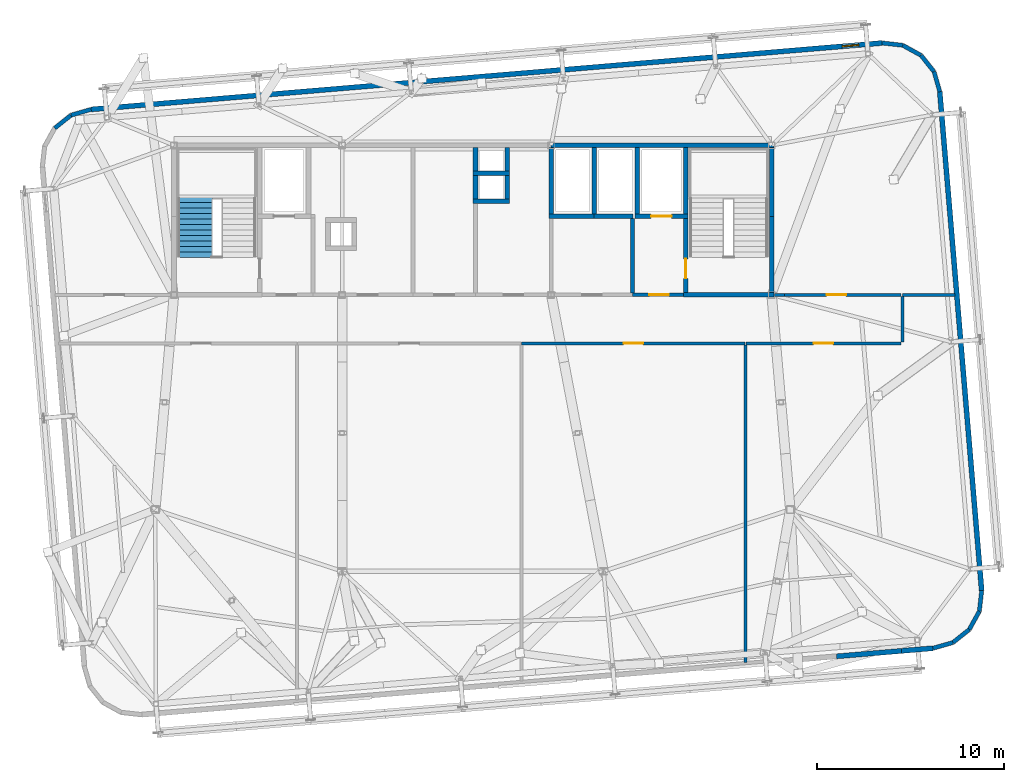
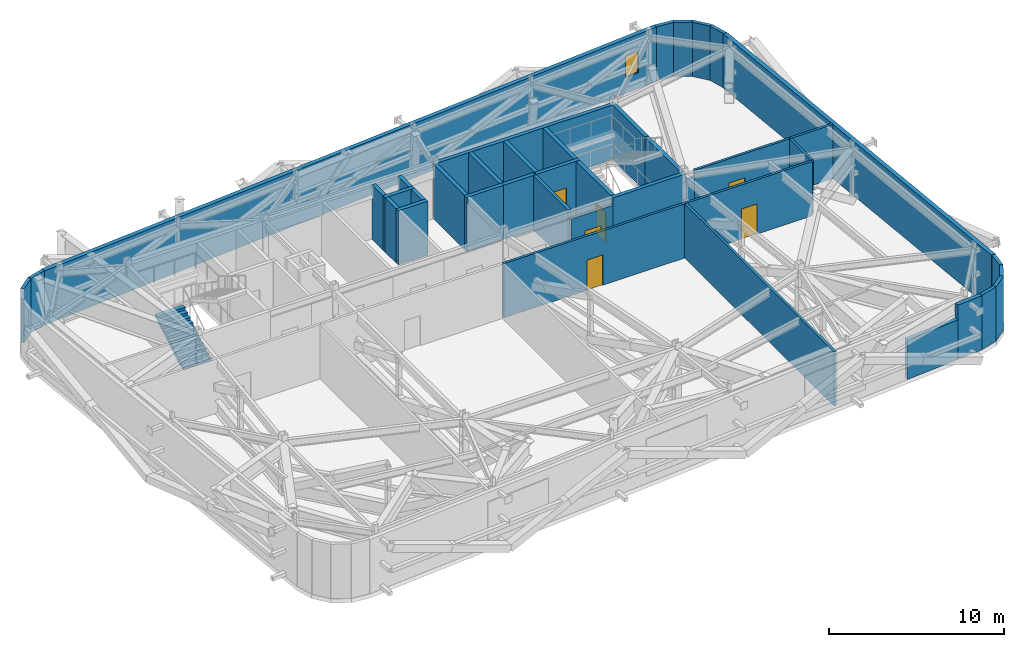
# One storey, part 24 of 26: 41 walls, 6 doors, 1 stair flight, 1 window, 7 openings, 1 element without a shape of its own.
"""IFC4 building model written with IfcOpenShell, lengths in metres."""

from ifc_helpers import new_model, si_unit, direction, frame, frame_2d, origin, place, context, subcontext, project, spatial, polyline, rectangle, outline, extrude, source, transform, mapped, material, layer, layer_set, type_object, element, fill, aggregate, save


model = new_model("IFC4")

# Units and contexts
model_context = context("Model", 3, precision=1e-05, world=origin(), true_north=direction((0.0, 1.0)))
body_context = subcontext(model_context, "Body", "Model", "MODEL_VIEW")
ifc_project = project(units=[si_unit("LENGTHUNIT", "METRE"), si_unit("AREAUNIT", "SQUARE_METRE"), si_unit("VOLUMEUNIT", "CUBIC_METRE"), si_unit("PLANEANGLEUNIT", "RADIAN"), si_unit("MASSUNIT", "GRAM", prefix="KILO")], contexts=[model_context])

# Site, building, storey
site_placement = place(None, origin())
site = spatial("IfcSite", under=ifc_project, at=site_placement, CompositionType="ELEMENT")
building_placement = place(site_placement, origin())
building = spatial("IfcBuilding", under=site, at=building_placement, Name="Taldren Reach Tower", CompositionType="ELEMENT")
storey_placement = place(building_placement, frame((0.0, 0.0, 207.199951171875)))
storey = spatial("IfcBuildingStorey", under=building, at=storey_placement, Name="L63", CompositionType="ELEMENT", Elevation=207.199951171875)

# Walls
ifc_material_1 = material(Name="Pale Champagne Anodised Aluminium Cladding", Category="aluminium")
ifc_layer_1 = layer(ifc_material_1, 0.04, Name="Pale Champagne Anodised Aluminium Cladding", Category="aluminium")
ifc_material_2 = material(Name="Mineral Wool Acoustic Insulation", Category="insulation")
ifc_layer_2 = layer(ifc_material_2, 0.06, Name="Mineral Wool Acoustic Insulation", Category="insulation")
ifc_material_3 = material(Name="Steel Gr 350 (C350L0)", Category="steel")
ifc_layer_3 = layer(ifc_material_3, 0.12, Name="Steel Gr 350 (C350L0)", Category="steel")
ifc_layer_set_1 = layer_set([ifc_layer_1, ifc_layer_2, ifc_layer_3], Name="Pale Champagne Aluminium Cladding and Steel Gr 350 Stud Framing")
wall_type_1 = type_object("IfcWallType", Name="EW-CRN-220", PredefinedType="SOLIDWALL", material=ifc_layer_set_1)
shared_shape_1 = source(origin(), body_context, "Body", "SweptSolid", [
    extrude(rectangle(XDim=1.115966796875, YDim=0.219970703125, at=frame_2d((0.55810546875, 0.0))), origin(), (0.0, 0.0, 1.0), 3.780029296875),
])
for number, where, z_axis, x_axis, name in (
    (1, (59.635986328125, 5.0751953125, 0.0), (0.0, 0.0, 1.0), (0.961010464297, 0.276512002475, 0.0), "Rounded-corner pale-metal facade wall L63-SE1"),
    (2, (60.70849609375, 5.3837890625, 0.0), (0.0, 0.0, 1.0), (0.782147847222, 0.623092886403, 0.0), "Rounded-corner pale-metal facade wall L63-SE2"),
    (3, (61.581298828125, 6.0791015625, 0.0), (0.0, 0.0, 1.0), (0.483933071672, 0.875105012065, 0.0), "Rounded-corner pale-metal facade wall L63-SE3"),
    (4, (62.121337890625, 7.0556640625, 0.0), (0.0, 0.0, 1.0), (0.112448259968, 0.993657581277, 0.0), "Rounded-corner pale-metal facade wall L63-SE4"),
    (5, (60.004150390625, 34.870361328125, 0.0), (0.0, 0.0, 1.0), (-0.276512002475, 0.961010464297, 0.0), "Rounded-corner pale-metal facade wall L63-NE1"),
    (6, (59.695556640625, 35.94287109375, 0.0), (0.0, 0.0, 1.0), (-0.623092886403, 0.782147847222, 0.0), "Rounded-corner pale-metal facade wall L63-NE2"),
    (7, (59.000244140625, 36.815673828125, 0.0), (0.0, 0.0, 1.0), (-0.875105012065, 0.483933071672, 0.0), "Rounded-corner pale-metal facade wall L63-NE3"),
    (8, (58.023681640625, 37.355712890625, 0.0), (0.0, 0.0, 1.0), (-0.993657581277, 0.112448259968, 0.0), "Rounded-corner pale-metal facade wall L63-NE4"),
    (9, (14.56396484375, 33.9248046875, 0.0), (0.0, 0.0, 1.0), (-0.961010464297, -0.276512002475, 0.0), "Rounded-corner pale-metal facade wall L63-NW1"),
):
    element("IfcWall", number, at=place(storey_placement, frame(where, z_axis=z_axis, x_axis=x_axis)), inside=storey, type_object=wall_type_1, Name=name, PredefinedType="SOLIDWALL", context=body_context, shape_type="MappedRepresentation", body=[
        mapped(shared_shape_1, transform((0.0, 0.0, 0.0), scale=1.0)),
    ])
shared_shape_2 = source(origin(), body_context, "Body", "SweptSolid", [
    extrude(rectangle(XDim=1.11572265625, YDim=0.219970703125, at=frame_2d((0.557861328125, 0.0))), origin(), (0.0, 0.0, 1.0), 3.780029296875),
])
wall_1_placement = place(storey_placement, frame((13.491455078125, 33.6162109375, 0.0), z_axis=(0.0, 0.0, 1.0), x_axis=(-0.782062884215, -0.623199522732, 0.0)))
element("IfcWall", 10, at=wall_1_placement, inside=storey, type_object=wall_type_1, Name="Rounded-corner pale-metal facade wall L63-NW2", PredefinedType="SOLIDWALL", context=body_context, shape_type="MappedRepresentation", body=[
    mapped(shared_shape_2, transform((0.0, 0.0, 0.0), scale=1.0)),
])
ifc_material_4 = material(Name="Perforated Anodised Aluminium Acoustic Liner", Category="aluminium")
ifc_layer_4 = layer(ifc_material_4, 0.04, Name="Perforated Anodised Aluminium Acoustic Liner", Category="aluminium")
ifc_layer_5 = layer(ifc_material_2, 0.08, Name="Mineral Wool Acoustic Insulation", Category="insulation")
ifc_layer_6 = layer(ifc_material_3, 0.15, Name="Steel Gr 350 (C350L0)", Category="steel")
ifc_layer_set_2 = layer_set([ifc_layer_4, ifc_layer_5, ifc_layer_6], Name="Perforated Anodised Aluminium Liner and Steel Gr 350 Stud Framing")
wall_type_2 = type_object("IfcWallType", Name="EW-PLT-270", PredefinedType="SOLIDWALL", material=ifc_layer_set_2)
shared_shape_3 = source(origin(), body_context, "Body", "SweptSolid", [
    extrude(rectangle(XDim=3.494140625, YDim=0.27001953125, at=frame_2d((1.7470703125, 0.0))), origin(), (0.0, 0.0, 1.0), 2.756103515625),
])
wall_2_placement = place(storey_placement, frame((54.476806640625, 4.641845703125, 0.0), z_axis=(0.0, 0.0, 1.0), x_axis=(0.996490607693, 0.083704652084, 0.0)))
element("IfcWall", 11, at=wall_2_placement, inside=storey, type_object=wall_type_2, Name="Plant floor perimeter enclosure wall L63-S part 2", PredefinedType="SOLIDWALL", context=body_context, shape_type="MappedRepresentation", body=[
    mapped(shared_shape_3, transform((0.0, 0.0, 0.0), scale=1.0)),
])
shared_shape_4 = source(origin(), body_context, "Body", "SweptSolid", [
    extrude(rectangle(XDim=1.68310546875, YDim=0.27001953125, at=frame_2d((0.841552734375, 0.0))), origin(), (0.0, 0.0, 1.0), 3.780029296875),
])
wall_3_placement = place(storey_placement, frame((57.958740234375, 4.934326171875, 0.0), z_axis=(0.0, 0.0, 1.0), x_axis=(0.996491528907, 0.083693684451, 0.0)))
element("IfcWall", 12, at=wall_3_placement, inside=storey, type_object=wall_type_2, Name="Plant floor perimeter enclosure wall L63-S part 3", PredefinedType="SOLIDWALL", context=body_context, shape_type="MappedRepresentation", body=[
    mapped(shared_shape_4, transform((0.0, 0.0, 0.0), scale=1.0)),
])

# Wall, opening, window
shared_shape_5 = source(origin(), body_context, "Body", "SweptSolid", [
    extrude(rectangle(XDim=42.5, YDim=0.27001953125, at=frame_2d((21.25, 0.0))), origin(), (0.0, 0.0, 1.0), 3.780029296875),
])
wall_4_placement = place(storey_placement, frame((56.914794921875, 37.481201171875, 0.0), z_axis=(0.0, 0.0, 1.0), x_axis=(-0.996492667128, -0.083680131217, 0.0)))
wall_4 = element("IfcWall", 13, at=wall_4_placement, inside=storey, type_object=wall_type_2, Name="Plant floor perimeter enclosure wall L63-N", PredefinedType="SOLIDWALL", context=body_context, shape_type="MappedRepresentation", body=[
    mapped(shared_shape_5, transform((0.0, 0.0, 0.0), scale=1.0)),
])
shared_shape_6 = source(origin(), body_context, "Body", "SweptSolid", [
    extrude(rectangle(XDim=0.89990234375, YDim=1.5, at=frame_2d((0.449951171875, 0.75))), frame((0.0, 0.14501953125, 0.0), z_axis=(0.0, -1.0, 0.0), x_axis=(1.0, 0.0, 0.0)), (0.0, 0.0, 1.0), 0.2900390625),
])
opening_1_placement = place(wall_4_placement, frame((1.25, 0.0, 1.10009765625)))
opening_1 = element("IfcOpeningElement", 14, at=opening_1_placement, cuts=wall_4, Name="Opening W-0915", PredefinedType="OPENING", context=body_context, shape_type="MappedRepresentation", body=[
    mapped(shared_shape_6, transform((0.0, 0.0, 0.0), scale=1.0)),
])
ifc_material_5 = material(Name="Thermally Broken Aluminium and Low-E IGU", Category="aluminium")
window_type = type_object("IfcWindowType", Name="WN-REF-0900", PartitioningType="SINGLE_PANEL", PredefinedType="WINDOW", material=ifc_material_5)
shared_shape_7 = source(origin(), body_context, "Body", "SweptSolid", [
    extrude(rectangle(XDim=0.89990234375, YDim=1.5, at=frame_2d((0.449951171875, 0.75))), frame((0.0, 0.030029296875, 0.0), z_axis=(0.0, -1.0, 0.0), x_axis=(1.0, 0.0, 0.0)), (0.0, 0.0, 1.0), 0.06005859375),
])
window_placement = place(opening_1_placement, origin())
window = element("IfcWindow", 15, at=window_placement, inside=storey, type_object=window_type, Name="Refuge area daylight window L63-1", OverallHeight=1.5, OverallWidth=0.89990234375, PartitioningType="SINGLE_PANEL", PredefinedType="WINDOW", context=body_context, shape_type="MappedRepresentation", body=[
    mapped(shared_shape_7, transform((0.0, 0.0, 0.0), scale=1.0)),
])
fill(opening_1, window)

# Walls
shared_shape_8 = source(origin(), body_context, "Body", "SweptSolid", [
    extrude(rectangle(XDim=26.7998046875, YDim=0.27001953125, at=frame_2d((13.39990234375, 0.0))), origin(), (0.0, 0.0, 1.0), 3.780029296875),
])
wall_5_placement = place(storey_placement, frame((62.246826171875, 8.16455078125, 0.0), z_axis=(0.0, 0.0, 1.0), x_axis=(-0.083682519839, 0.996492466541, 0.0)))
element("IfcWall", 16, at=wall_5_placement, inside=storey, type_object=wall_type_2, Name="Plant floor perimeter enclosure wall L63-E", PredefinedType="SOLIDWALL", context=body_context, shape_type="MappedRepresentation", body=[
    mapped(shared_shape_8, transform((0.0, 0.0, 0.0), scale=1.0)),
])
ifc_material_6 = material(Name="Fire-Rated Acoustic Plasterboard Stud Wall", Category="gypsum")
ifc_layer_7 = layer(ifc_material_6, 0.159912109375)
ifc_layer_set_3 = layer_set([ifc_layer_7], Name="Fire-Rated Acoustic Plasterboard Stud Wall")
wall_type_3 = type_object("IfcWallType", Name="IW-FIRE-160", PredefinedType="PARTITIONING", material=ifc_layer_set_3)
shared_shape_9 = source(origin(), body_context, "Body", "SweptSolid", [
    extrude(rectangle(XDim=2.43994140625, YDim=0.159912109375, at=frame_2d((1.219970703125, 0.0))), origin(), (0.0, 0.0, 1.0), 3.780029296875),
])
wall_6_placement = place(storey_placement, frame((58.0, 23.919921875, 0.0), z_axis=(0.0, 0.0, 1.0), x_axis=(0.0, -1.0, 0.0)))
element("IfcWall", 17, at=wall_6_placement, inside=storey, type_object=wall_type_3, Name="Interior Partition Wall W-INT-L63-042", PredefinedType="PARTITIONING", context=body_context, shape_type="MappedRepresentation", body=[
    mapped(shared_shape_9, transform((0.0, 0.0, 0.0), scale=1.0)),
])
ifc_material_7 = material(Name="Concrete S65 (65 MPa)", Category="concrete")
ifc_layer_8 = layer(ifc_material_7, 0.25)
ifc_layer_set_4 = layer_set([ifc_layer_8], Name="Concrete S65 (65 MPa)")
wall_type_4 = type_object("IfcWallType", Name="IW-CORE-250", PredefinedType="SHEAR", material=ifc_layer_set_4)
shared_shape_10 = source(origin(), body_context, "Body", "SweptSolid", [
    extrude(rectangle(XDim=11.925048828125, YDim=0.25, at=frame_2d((5.96240234375, 0.0))), origin(), (0.0, 0.0, 1.0), 3.780029296875),
])
wall_7_placement = place(storey_placement, frame((39.199951171875, 32.0, 0.0), z_axis=(0.0, 0.0, 1.0), x_axis=(1.0, 0.0, 0.0)))
element("IfcWall", 18, at=wall_7_placement, inside=storey, type_object=wall_type_4, Name="Rear Core Shear Wall W-CORE-L63-NORTH3", PredefinedType="SHEAR", context=body_context, shape_type="MappedRepresentation", body=[
    mapped(shared_shape_10, transform((0.0, 0.0, 0.0), scale=1.0)),
])
shared_shape_11 = source(origin(), body_context, "Body", "SweptSolid", [
    extrude(rectangle(XDim=4.074951171875, YDim=0.25, at=frame_2d((2.03759765625, 0.0))), origin(), (0.0, 0.0, 1.0), 3.780029296875),
])
wall_8_placement = place(storey_placement, frame((51.0, 24.125, 0.0), z_axis=(0.0, 0.0, 1.0), x_axis=(0.0, 1.0, 0.0)))
element("IfcWall", 19, at=wall_8_placement, inside=storey, type_object=wall_type_4, Name="Rear Core Shear Wall W-CORE-L63-EAST1", PredefinedType="SHEAR", context=body_context, shape_type="MappedRepresentation", body=[
    mapped(shared_shape_11, transform((0.0, 0.0, 0.0), scale=1.0)),
])
shared_shape_12 = source(origin(), body_context, "Body", "SweptSolid", [
    extrude(rectangle(XDim=3.675048828125, YDim=0.25, at=frame_2d((1.83740234375, 0.0))), origin(), (0.0, 0.0, 1.0), 3.780029296875),
])
wall_9_placement = place(storey_placement, frame((51.0, 28.199951171875, 0.0), z_axis=(0.0, 0.0, 1.0), x_axis=(0.0, 1.0, 0.0)))
element("IfcWall", 20, at=wall_9_placement, inside=storey, type_object=wall_type_4, Name="Rear Core Shear Wall W-CORE-L63-EAST2", PredefinedType="SHEAR", context=body_context, shape_type="MappedRepresentation", body=[
    mapped(shared_shape_12, transform((0.0, 0.0, 0.0), scale=1.0)),
])
shared_shape_13 = source(origin(), body_context, "Body", "SweptSolid", [
    extrude(rectangle(XDim=3.550048828125, YDim=0.25, at=frame_2d((1.77490234375, 0.0))), origin(), (0.0, 0.0, 1.0), 3.780029296875),
])
for number, where, z_axis, x_axis, name in (
    (21, (46.39990234375, 31.875, 0.0), (0.0, 0.0, 1.0), (0.0, -1.0, 0.0), "Rear Core Shear Wall W-INT-L63-008"),
    (22, (43.800048828125, 31.875, 0.0), (0.0, 0.0, 1.0), (0.0, -1.0, 0.0), "Rear Core Shear Wall W-INT-L63-012"),
    (23, (41.5, 28.324951171875, 0.0), (0.0, 0.0, 1.0), (0.0, 1.0, 0.0), "Rear Core Shear Wall W-INT-L63-029"),
    (24, (39.199951171875, 31.875, 0.0), (0.0, 0.0, 1.0), (0.0, -1.0, 0.0), "Rear Core Shear Wall W-INT-L63-030"),
):
    element("IfcWall", number, at=place(storey_placement, frame(where, z_axis=z_axis, x_axis=x_axis)), inside=storey, type_object=wall_type_4, Name=name, PredefinedType="SHEAR", context=body_context, shape_type="MappedRepresentation", body=[
        mapped(shared_shape_13, transform((0.0, 0.0, 0.0), scale=1.0)),
    ])

# Wall, opening, door
shared_shape_14 = source(origin(), body_context, "Body", "SweptSolid", [
    extrude(rectangle(XDim=3.949951171875, YDim=0.25, at=frame_2d((1.97509765625, 0.0))), origin(), (0.0, 0.0, 1.0), 3.780029296875),
])
wall_10_placement = place(storey_placement, frame((46.39990234375, 28.074951171875, 0.0), z_axis=(0.0, 0.0, 1.0), x_axis=(0.0, -1.0, 0.0)))
wall_10 = element("IfcWall", 25, at=wall_10_placement, inside=storey, type_object=wall_type_4, Name="Rear Core Shear Wall W-INT-L63-009", PredefinedType="SHEAR", context=body_context, shape_type="MappedRepresentation", body=[
    mapped(shared_shape_14, transform((0.0, 0.0, 0.0), scale=1.0)),
])
shared_shape_15 = source(origin(), body_context, "Body", "SweptSolid", [
    extrude(rectangle(XDim=1.050048828125, YDim=2.10009765625, at=frame_2d((0.52490234375, 1.050048828125))), frame((0.0, 0.135009765625, 0.0), z_axis=(0.0, -1.0, 0.0), x_axis=(1.0, 0.0, 0.0)), (0.0, 0.0, 1.0), 0.27001953125),
])
opening_2_placement = place(wall_10_placement, frame((2.14990234375, 0.0, 0.0)))
opening_2 = element("IfcOpeningElement", 26, at=opening_2_placement, cuts=wall_10, Name="Opening DF-105", PredefinedType="OPENING", context=body_context, shape_type="MappedRepresentation", body=[
    mapped(shared_shape_15, transform((0.0, 0.0, 0.0), scale=1.0)),
])
ifc_material_8 = material(Name="Fire-Rated Care and Stair Exit Door")
door_type_1 = type_object("IfcDoorType", Name="ID-FIRE-105", OperationType="NOTDEFINED", PredefinedType="DOOR", material=ifc_material_8)
shared_shape_16 = source(origin(), body_context, "Body", "SweptSolid", [
    extrude(rectangle(XDim=1.050048828125, YDim=2.10009765625, at=frame_2d((0.52490234375, 1.050048828125))), frame((0.0, 0.02490234375, 0.0), z_axis=(0.0, -1.0, 0.0), x_axis=(1.0, 0.0, 0.0)), (0.0, 0.0, 1.0), 0.050048828125),
])
door_1_placement = place(opening_2_placement, origin())
door_1 = element("IfcDoor", 27, at=door_1_placement, inside=storey, type_object=door_type_1, Name="Fire Exit Stair Door DR-L63-003", OperationType="SINGLE_SWING_RIGHT", OverallHeight=2.10009765625, OverallWidth=1.050048828125, PredefinedType="DOOR", context=body_context, shape_type="MappedRepresentation", body=[
    mapped(shared_shape_16, transform((0.0, 0.0, 0.0), scale=1.0)),
])
fill(opening_2, door_1)

# Wall
shared_shape_17 = source(origin(), body_context, "Body", "SweptSolid", [
    extrude(rectangle(XDim=4.85009765625, YDim=0.25, at=frame_2d((2.425048828125, 0.0))), origin(), (0.0, 0.0, 1.0), 3.780029296875),
])
wall_11_placement = place(storey_placement, frame((46.27490234375, 24.0, 0.0), z_axis=(0.0, 0.0, 1.0), x_axis=(1.0, 0.0, 0.0)))
element("IfcWall", 28, at=wall_11_placement, inside=storey, type_object=wall_type_4, Name="Rear Core Shear Wall W-INT-L63-010", PredefinedType="SHEAR", context=body_context, shape_type="MappedRepresentation", body=[
    mapped(shared_shape_17, transform((0.0, 0.0, 0.0), scale=1.0)),
])

# Wall, opening, door
shared_shape_18 = source(origin(), body_context, "Body", "SweptSolid", [
    extrude(rectangle(XDim=2.849853515625, YDim=0.25, at=frame_2d((1.4248046875, 0.0))), origin(), (0.0, 0.0, 1.0), 3.780029296875),
])
wall_12_placement = place(storey_placement, frame((43.675048828125, 28.199951171875, 0.0), z_axis=(0.0, 0.0, 1.0), x_axis=(1.0, 0.0, 0.0)))
wall_12 = element("IfcWall", 29, at=wall_12_placement, inside=storey, type_object=wall_type_4, Name="Rear Core Shear Wall W-INT-L63-011", PredefinedType="SHEAR", context=body_context, shape_type="MappedRepresentation", body=[
    mapped(shared_shape_18, transform((0.0, 0.0, 0.0), scale=1.0)),
])
shared_shape_19 = source(origin(), body_context, "Body", "SweptSolid", [
    extrude(rectangle(XDim=1.10009765625, YDim=2.14990234375, at=frame_2d((0.550048828125, 1.074951171875))), frame((0.0, 0.135009765625, 0.0), z_axis=(0.0, -1.0, 0.0), x_axis=(1.0, 0.0, 0.0)), (0.0, 0.0, 1.0), 0.27001953125),
])
opening_3_placement = place(wall_12_placement, frame((0.875, 0.0, 0.0)))
opening_3 = element("IfcOpeningElement", 30, at=opening_3_placement, cuts=wall_12, Name="Opening LD-FL2", PredefinedType="OPENING", context=body_context, shape_type="MappedRepresentation", body=[
    mapped(shared_shape_19, transform((0.0, 0.0, 0.0), scale=1.0)),
])
ifc_material_9 = material(Name="Stainless Steel Gr 316 Emergency Lift Landing Door", Category="steel")
door_type_2 = type_object("IfcDoorType", Name="LD-EMG-110", OperationType="SLIDING_TO_LEFT", PredefinedType="DOOR", material=ifc_material_9)
shared_shape_20 = source(origin(), body_context, "Body", "SweptSolid", [
    extrude(rectangle(XDim=1.10009765625, YDim=2.14990234375, at=frame_2d((0.550048828125, 1.074951171875))), frame((0.0, 0.02490234375, 0.0), z_axis=(0.0, -1.0, 0.0), x_axis=(1.0, 0.0, 0.0)), (0.0, 0.0, 1.0), 0.050048828125),
])
door_2_placement = place(opening_3_placement, origin())
door_2 = element("IfcDoor", 31, at=door_2_placement, inside=storey, type_object=door_type_2, Name="Lift Landing Door LD-FL2-L63", OperationType="SLIDING_TO_LEFT", OverallHeight=2.14990234375, OverallWidth=1.10009765625, PredefinedType="DOOR", context=body_context, shape_type="MappedRepresentation", body=[
    mapped(shared_shape_20, transform((0.0, 0.0, 0.0), scale=1.0)),
])
fill(opening_3, door_2)

# Wall
ifc_material_10 = material(Name="Concrete S50 (50 MPa)", Category="concrete")
ifc_layer_9 = layer(ifc_material_10, 0.199951171875)
ifc_layer_set_5 = layer_set([ifc_layer_9], Name="Concrete S50 (50 MPa)")
wall_type_5 = type_object("IfcWallType", Name="IW-CORE-200", PredefinedType="SOLIDWALL", material=ifc_layer_set_5)
shared_shape_21 = source(origin(), body_context, "Body", "SweptSolid", [
    extrude(rectangle(XDim=3.974853515625, YDim=0.199951171875, at=frame_2d((1.9873046875, 0.0))), origin(), (0.0, 0.0, 1.0), 3.780029296875),
])
wall_13_placement = place(storey_placement, frame((43.550048828125, 28.074951171875, 0.0), z_axis=(0.0, 0.0, 1.0), x_axis=(0.0, -1.0, 0.0)))
element("IfcWall", 32, at=wall_13_placement, inside=storey, type_object=wall_type_5, Name="Rear Core Shear Wall W-INT-L63-013", PredefinedType="SOLIDWALL", context=body_context, shape_type="MappedRepresentation", body=[
    mapped(shared_shape_21, transform((0.0, 0.0, 0.0), scale=1.0)),
])

# Wall, opening, door
shared_shape_22 = source(origin(), body_context, "Body", "SweptSolid", [
    extrude(rectangle(XDim=2.724853515625, YDim=0.199951171875, at=frame_2d((1.3623046875, 0.0))), origin(), (0.0, 0.0, 1.0), 3.2470703125),
])
wall_14_placement = place(storey_placement, frame((43.550048828125, 24.0, 0.0), z_axis=(0.0, 0.0, 1.0), x_axis=(1.0, 0.0, 0.0)))
wall_14 = element("IfcWall", 33, at=wall_14_placement, inside=storey, type_object=wall_type_5, Name="Rear Core Shear Wall W-INT-L63-014", PredefinedType="SOLIDWALL", context=body_context, shape_type="MappedRepresentation", body=[
    mapped(shared_shape_22, transform((0.0, 0.0, 0.0), scale=1.0)),
])
shared_shape_23 = source(origin(), body_context, "Body", "SweptSolid", [
    extrude(rectangle(XDim=1.050048828125, YDim=2.10009765625, at=frame_2d((0.52490234375, 1.050048828125))), frame((0.0, 0.10986328125, 0.0), z_axis=(0.0, -1.0, 0.0), x_axis=(1.0, 0.0, 0.0)), (0.0, 0.0, 1.0), 0.219970703125),
])
opening_4_placement = place(wall_14_placement, frame((0.89990234375, 0.0, 0.0)))
opening_4 = element("IfcOpeningElement", 34, at=opening_4_placement, cuts=wall_14, Name="Opening DF-105", PredefinedType="OPENING", context=body_context, shape_type="MappedRepresentation", body=[
    mapped(shared_shape_23, transform((0.0, 0.0, 0.0), scale=1.0)),
])
door_3_placement = place(opening_4_placement, origin())
door_3 = element("IfcDoor", 35, at=door_3_placement, inside=storey, type_object=door_type_1, Name="Interior Door DR-L63-004", OperationType="SINGLE_SWING_LEFT", OverallHeight=2.10009765625, OverallWidth=1.050048828125, PredefinedType="DOOR", context=body_context, shape_type="MappedRepresentation", body=[
    mapped(shared_shape_16, transform((0.0, 0.0, 0.0), scale=1.0)),
])
fill(opening_4, door_3)

# Walls
shared_shape_24 = source(origin(), body_context, "Body", "SweptSolid", [
    extrude(rectangle(XDim=1.9501953125, YDim=0.25, at=frame_2d((0.97509765625, 0.0))), origin(), (0.0, 0.0, 1.0), 3.780029296875),
])
for number, where, z_axis, x_axis, name in (
    (36, (35.02490234375, 30.5, 0.0), (0.0, 0.0, 1.0), (1.0, 0.0, 0.0), "Rear Core Shear Wall W-INT-L63-015"),
    (37, (35.02490234375, 29.0, 0.0), (0.0, 0.0, 1.0), (1.0, 0.0, 0.0), "Rear Core Shear Wall W-INT-L63-019"),
):
    element("IfcWall", number, at=place(storey_placement, frame(where, z_axis=z_axis, x_axis=x_axis)), inside=storey, type_object=wall_type_4, Name=name, PredefinedType="SHEAR", context=body_context, shape_type="MappedRepresentation", body=[
        mapped(shared_shape_24, transform((0.0, 0.0, 0.0), scale=1.0)),
    ])
shared_shape_25 = source(origin(), body_context, "Body", "SweptSolid", [
    extrude(rectangle(XDim=1.25, YDim=0.25, at=frame_2d((0.625, 0.0))), origin(), (0.0, 0.0, 1.0), 3.780029296875),
])
for number, where, z_axis, x_axis, name in (
    (38, (35.14990234375, 31.875, 0.0), (0.0, 0.0, 1.0), (0.0, -1.0, 0.0), "Rear Core Shear Wall W-INT-L63-016"),
    (39, (36.85009765625, 30.625, 0.0), (0.0, 0.0, 1.0), (0.0, 1.0, 0.0), "Rear Core Shear Wall W-INT-L63-017"),
    (40, (35.14990234375, 30.375, 0.0), (0.0, 0.0, 1.0), (0.0, -1.0, 0.0), "Rear Core Shear Wall W-INT-L63-018"),
    (41, (36.85009765625, 29.125, 0.0), (0.0, 0.0, 1.0), (0.0, 1.0, 0.0), "Rear Core Shear Wall W-INT-L63-020"),
):
    element("IfcWall", number, at=place(storey_placement, frame(where, z_axis=z_axis, x_axis=x_axis)), inside=storey, type_object=wall_type_4, Name=name, PredefinedType="SHEAR", context=body_context, shape_type="MappedRepresentation", body=[
        mapped(shared_shape_25, transform((0.0, 0.0, 0.0), scale=1.0)),
    ])
shared_shape_26 = source(origin(), body_context, "Body", "SweptSolid", [
    extrude(rectangle(XDim=2.425048828125, YDim=0.25, at=frame_2d((1.21240234375, 0.0))), origin(), (0.0, 0.0, 1.0), 3.780029296875),
])
wall_15_placement = place(storey_placement, frame((39.074951171875, 28.199951171875, 0.0), z_axis=(0.0, 0.0, 1.0), x_axis=(1.0, 0.0, 0.0)))
element("IfcWall", 42, at=wall_15_placement, inside=storey, type_object=wall_type_4, Name="Rear Core Shear Wall W-INT-L63-031", PredefinedType="SHEAR", context=body_context, shape_type="MappedRepresentation", body=[
    mapped(shared_shape_26, transform((0.0, 0.0, 0.0), scale=1.0)),
])
shared_shape_27 = source(origin(), body_context, "Body", "SweptSolid", [
    extrude(rectangle(XDim=2.070068359375, YDim=0.25, at=frame_2d((1.03515625, 0.0))), origin(), (0.0, 0.0, 1.0), 3.780029296875),
])
wall_16_placement = place(storey_placement, frame((41.5, 28.199951171875, 0.0), z_axis=(0.0, 0.0, 1.0), x_axis=(1.0, 0.0, 0.0)))
element("IfcWall", 43, at=wall_16_placement, inside=storey, type_object=wall_type_4, Name="Rear Core Shear Wall W-INT-L63-032", PredefinedType="SHEAR", context=body_context, shape_type="MappedRepresentation", body=[
    mapped(shared_shape_27, transform((0.0, 0.0, 0.0), scale=1.0)),
])
shared_shape_28 = source(origin(), body_context, "Body", "SweptSolid", [
    extrude(rectangle(XDim=0.5556640625, YDim=0.159912109375, at=frame_2d((0.27783203125, 0.0))), origin(), (0.0, 0.0, 1.0), 3.320068359375),
])
wall_17_placement = place(storey_placement, frame((51.125, 24.0, 0.0), z_axis=(0.0, 0.0, 1.0), x_axis=(1.0, 0.0, 0.0)))
element("IfcWall", 44, at=wall_17_placement, inside=storey, type_object=wall_type_3, Name="Interior Partition Wall W-INT-L63-037", PredefinedType="PARTITIONING", context=body_context, shape_type="MappedRepresentation", body=[
    mapped(shared_shape_28, transform((0.0, 0.0, 0.0), scale=1.0)),
])

# Wall, opening, door
shared_shape_29 = source(origin(), body_context, "Body", "SweptSolid", [
    extrude(rectangle(XDim=6.2392578125, YDim=0.159912109375, at=frame_2d((3.11962890625, 0.0))), origin(), (0.0, 0.0, 1.0), 3.780029296875),
])
wall_18_placement = place(storey_placement, frame((51.6806640625, 24.0, 0.0), z_axis=(0.0, 0.0, 1.0), x_axis=(1.0, 0.0, 0.0)))
wall_18 = element("IfcWall", 45, at=wall_18_placement, inside=storey, type_object=wall_type_3, Name="Interior Partition Wall W-INT-L63-037 part 2", PredefinedType="PARTITIONING", context=body_context, shape_type="MappedRepresentation", body=[
    mapped(shared_shape_29, transform((0.0, 0.0, 0.0), scale=1.0)),
])
shared_shape_30 = source(origin(), body_context, "Body", "SweptSolid", [
    extrude(rectangle(XDim=1.050048828125, YDim=2.10009765625, at=frame_2d((0.52490234375, 1.050048828125))), frame((0.0, 0.08984375, 0.0), z_axis=(0.0, -1.0, 0.0), x_axis=(1.0, 0.0, 0.0)), (0.0, 0.0, 1.0), 0.179931640625),
])
opening_5_placement = place(wall_18_placement, frame((2.264404296875, 0.0, 0.0)))
opening_5 = element("IfcOpeningElement", 46, at=opening_5_placement, cuts=wall_18, Name="Opening DF-105", PredefinedType="OPENING", context=body_context, shape_type="MappedRepresentation", body=[
    mapped(shared_shape_30, transform((0.0, 0.0, 0.0), scale=1.0)),
])
door_4_placement = place(opening_5_placement, origin())
door_4 = element("IfcDoor", 47, at=door_4_placement, inside=storey, type_object=door_type_1, Name="Interior Door DR-L63-010", OperationType="SINGLE_SWING_LEFT", OverallHeight=2.10009765625, OverallWidth=1.050048828125, PredefinedType="DOOR", context=body_context, shape_type="MappedRepresentation", body=[
    mapped(shared_shape_16, transform((0.0, 0.0, 0.0), scale=1.0)),
])
fill(opening_5, door_4)

shared_shape_31 = source(origin(), body_context, "Body", "SweptSolid", [
    extrude(rectangle(XDim=11.959716796875, YDim=0.159912109375, at=frame_2d((5.97998046875, 0.0))), origin(), (0.0, 0.0, 1.0), 3.780029296875),
])
wall_19_placement = place(storey_placement, frame((49.579833984375, 21.39990234375, 0.0), z_axis=(0.0, 0.0, 1.0), x_axis=(-1.0, 0.0, 0.0)))
wall_19 = element("IfcWall", 48, at=wall_19_placement, inside=storey, type_object=wall_type_3, Name="Interior Partition Wall W-INT-L63-040", PredefinedType="PARTITIONING", context=body_context, shape_type="MappedRepresentation", body=[
    mapped(shared_shape_31, transform((0.0, 0.0, 0.0), scale=1.0)),
])
opening_6_placement = place(wall_19_placement, frame((5.454833984375, 0.0, 0.0)))
opening_6 = element("IfcOpeningElement", 49, at=opening_6_placement, cuts=wall_19, Name="Opening DF-105", PredefinedType="OPENING", context=body_context, shape_type="MappedRepresentation", body=[
    mapped(shared_shape_30, transform((0.0, 0.0, 0.0), scale=1.0)),
])
door_5_placement = place(opening_6_placement, origin())
door_5 = element("IfcDoor", 50, at=door_5_placement, inside=storey, type_object=door_type_1, Name="Interior Door DR-L63-013", OperationType="SINGLE_SWING_RIGHT", OverallHeight=2.10009765625, OverallWidth=1.050048828125, PredefinedType="DOOR", context=body_context, shape_type="MappedRepresentation", body=[
    mapped(shared_shape_16, transform((0.0, 0.0, 0.0), scale=1.0)),
])
fill(opening_6, door_5)

shared_shape_32 = source(origin(), body_context, "Body", "SweptSolid", [
    extrude(rectangle(XDim=8.2998046875, YDim=0.159912109375, at=frame_2d((4.14990234375, 0.0))), origin(), (0.0, 0.0, 1.0), 3.780029296875),
])
wall_20_placement = place(storey_placement, frame((57.919921875, 21.39990234375, 0.0), z_axis=(0.0, 0.0, 1.0), x_axis=(-1.0, 0.0, 0.0)))
wall_20 = element("IfcWall", 51, at=wall_20_placement, inside=storey, type_object=wall_type_3, Name="Interior Partition Wall W-INT-L63-041", PredefinedType="PARTITIONING", context=body_context, shape_type="MappedRepresentation", body=[
    mapped(shared_shape_32, transform((0.0, 0.0, 0.0), scale=1.0)),
])
opening_7_placement = place(wall_20_placement, frame((3.625, 0.0, 0.0)))
opening_7 = element("IfcOpeningElement", 52, at=opening_7_placement, cuts=wall_20, Name="Opening DF-105", PredefinedType="OPENING", context=body_context, shape_type="MappedRepresentation", body=[
    mapped(shared_shape_30, transform((0.0, 0.0, 0.0), scale=1.0)),
])
door_6_placement = place(opening_7_placement, origin())
door_6 = element("IfcDoor", 53, at=door_6_placement, inside=storey, type_object=door_type_1, Name="Interior Door DR-L63-014", OperationType="SINGLE_SWING_LEFT", OverallHeight=2.10009765625, OverallWidth=1.050048828125, PredefinedType="DOOR", context=body_context, shape_type="MappedRepresentation", body=[
    mapped(shared_shape_16, transform((0.0, 0.0, 0.0), scale=1.0)),
])
fill(opening_7, door_6)

# Walls
shared_shape_33 = source(origin(), body_context, "Body", "SweptSolid", [
    extrude(rectangle(XDim=2.799560546875, YDim=0.159912109375, at=frame_2d((1.39990234375, 0.0))), origin(), (0.0, 0.0, 1.0), 3.780029296875),
])
wall_21_placement = place(storey_placement, frame((60.81982421875, 24.0, 0.0), z_axis=(0.0, 0.0, 1.0), x_axis=(-1.0, 0.0, 0.0)))
element("IfcWall", 54, at=wall_21_placement, inside=storey, type_object=wall_type_3, Name="Interior Partition Wall W-INT-L63-043", PredefinedType="PARTITIONING", context=body_context, shape_type="MappedRepresentation", body=[
    mapped(shared_shape_33, transform((0.0, 0.0, 0.0), scale=1.0)),
])
shared_shape_34 = source(origin(), body_context, "Body", "SweptSolid", [
    extrude(rectangle(XDim=17.004150390625, YDim=0.159912109375, at=frame_2d((8.501953125, 0.0))), origin(), (0.0, 0.0, 1.0), 3.780029296875),
])
wall_22_placement = place(storey_placement, frame((49.60009765625, 21.320068359375, 0.0), z_axis=(0.0, 0.0, 1.0), x_axis=(0.0, -1.0, 0.0)))
element("IfcWall", 55, at=wall_22_placement, inside=storey, type_object=wall_type_3, Name="Interior Partition Wall W-INT-L63-046", PredefinedType="PARTITIONING", context=body_context, shape_type="MappedRepresentation", body=[
    mapped(shared_shape_34, transform((0.0, 0.0, 0.0), scale=1.0)),
])

# Stair, stair flight
stair_type = type_object("IfcStairType", Name="ST-HT-420", PredefinedType="HALF_TURN_STAIR", material=ifc_material_10)
stair_placement = place(storey_placement, origin())
stair = element("IfcStair", 56, at=stair_placement, inside=storey, type_object=stair_type, Name="Fire-isolated exit stair ST1 L63", PredefinedType="HALF_TURN_STAIR")
stair_flight_type = type_object("IfcStairFlightType", Name="SF-STR-420", PredefinedType="STRAIGHT", material=ifc_material_10)
stair_flight_placement = place(storey_placement, frame((20.139892578125, 25.989990234375, 0.0), z_axis=(0.0, 0.0, 1.0), x_axis=(0.0, 1.0, 0.0)))
stair_flight = element("IfcStairFlight", 57, at=stair_flight_placement, type_object=stair_flight_type, Name="ST1 flight 1", NumberOfRisers=12, NumberOfTreads=11, PredefinedType="STRAIGHT", RiserHeight=0.175, TreadLength=0.295, context=body_context, shape_type="SweptSolid", body=[
    extrude(outline(polyline([(0.0, 0.0), (0.0, 0.175048828125), (0.294921875, 0.175048828125), (0.294921875, 0.35009765625), (0.590087890625, 0.35009765625), (0.590087890625, 0.52490234375), (0.885009765625, 0.52490234375), (0.885009765625, 0.699951171875), (1.179931640625, 0.699951171875), (1.179931640625, 0.875), (1.47509765625, 0.875), (1.47509765625, 1.050048828125), (1.77001953125, 1.050048828125), (1.77001953125, 1.22509765625), (2.06494140625, 1.22509765625), (2.06494140625, 1.39990234375), (2.360107421875, 1.39990234375), (2.360107421875, 1.574951171875), (2.655029296875, 1.574951171875), (2.655029296875, 1.75), (2.949951171875, 1.75), (2.949951171875, 1.925048828125), (3.2451171875, 1.925048828125), (3.2451171875, 2.10009765625), (3.2451171875, 1.739013671875), (0.3134765625, 0.0), (0.0, 0.0)])), frame((0.0, 0.919921875, 0.0), z_axis=(0.0, -1.0, 0.0), x_axis=(1.0, 0.0, 0.0)), (0.0, 0.0, 1.0), 1.840087890625),
])
aggregate(stair, [stair_flight])

save(model, "model.ifc")
